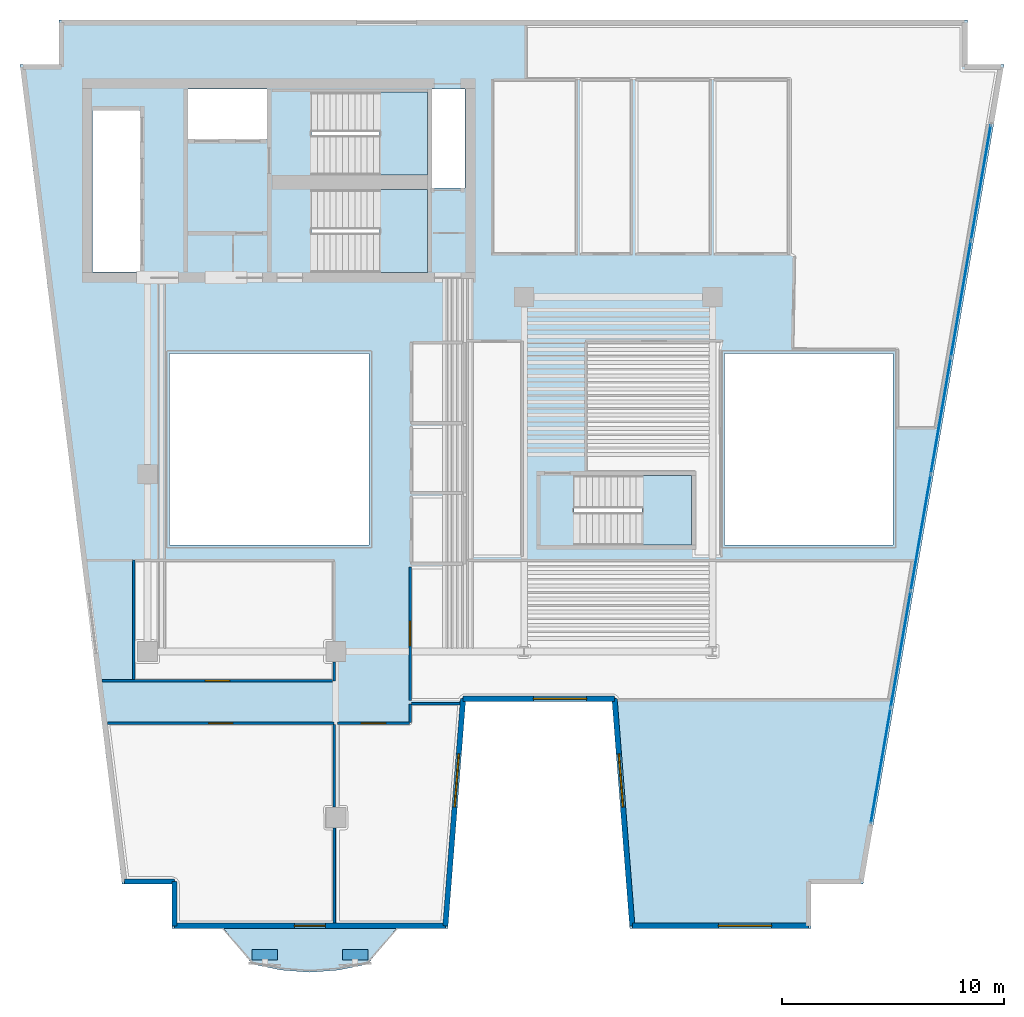
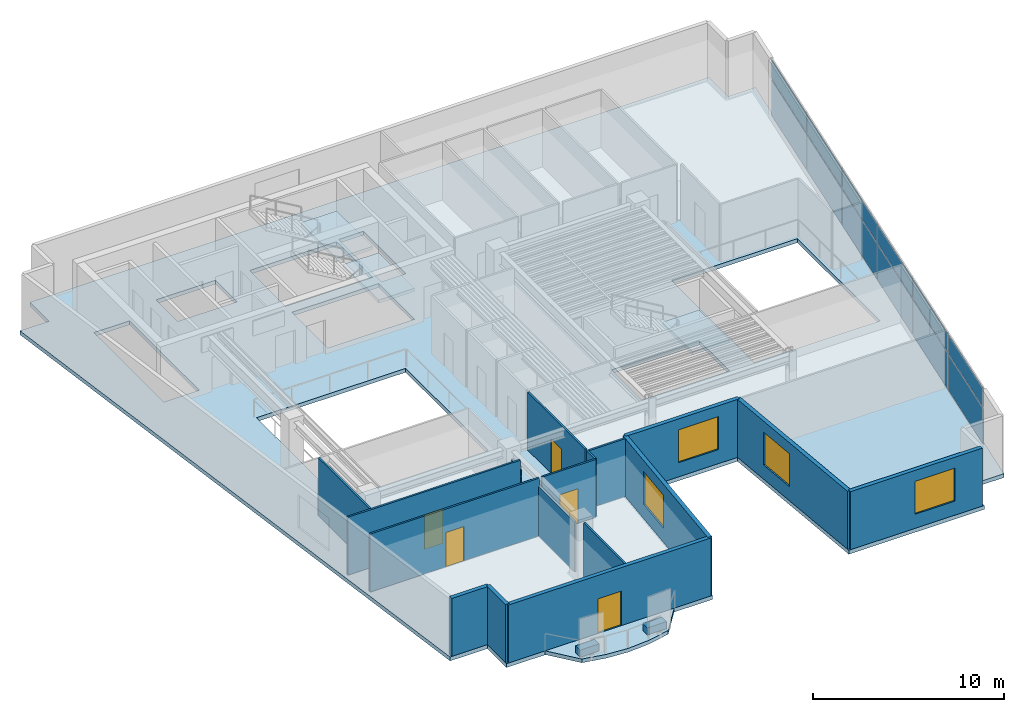
# One storey, part 3 of 9: 17 walls, 14 plates, 5 doors, 5 slabs, 4 windows, 9 openings, 4 elements without a shape of their own.
"""IFC4 building model written with IfcOpenShell, lengths in metres."""

from ifc_helpers import new_model, si_unit, direction, frame, frame_2d, origin, origin_2d, place, context, subcontext, project, spatial, polyline, rectangle, outline, extrude, material, layer, layer_set, type_object, element, fill, aggregate, save


model = new_model("IFC4")

# Units and contexts
model_context = context("Model", 3, precision=1e-05, world=origin(), true_north=direction((0.0, 1.0)))
body_context = subcontext(model_context, "Body", "Model", "MODEL_VIEW")
ifc_project = project(units=[si_unit("LENGTHUNIT", "METRE"), si_unit("AREAUNIT", "SQUARE_METRE"), si_unit("VOLUMEUNIT", "CUBIC_METRE"), si_unit("PLANEANGLEUNIT", "RADIAN"), si_unit("MASSUNIT", "GRAM", prefix="KILO")], contexts=[model_context])

# Site, building, storey
site_placement = place(None, origin())
site = spatial("IfcSite", under=ifc_project, at=site_placement, CompositionType="ELEMENT")
building_placement = place(site_placement, origin())
building = spatial("IfcBuilding", under=site, at=building_placement, Name="Caeloran Harvest Quay", CompositionType="ELEMENT")
storey_placement = place(building_placement, frame((0.0, 0.0, 231.14990234375)))
storey = spatial("IfcBuildingStorey", under=building, at=storey_placement, Name="L55", CompositionType="ELEMENT", Elevation=231.14990234375)

# Slab
ifc_material_1 = material(Name="Concrete C50/60", Category="concrete")
ifc_layer_1 = layer(ifc_material_1, 0.239990234375, Name="Concrete C50/60")
ifc_layer_set_1 = layer_set([ifc_layer_1], Name="Concrete C50/60")
slab_type_1 = type_object("IfcSlabType", Name="BALCONY-BL-240", PredefinedType="FLOOR", material=ifc_layer_set_1)
slab_1_placement = place(storey_placement, frame((0.0, 0.0, -0.239990234375)))
element("IfcSlab", 1, at=slab_1_placement, inside=storey, type_object=slab_type_1, Name="L55 Scalloped Cantilevered Planted Balcony Slab", PredefinedType="FLOOR", context=body_context, shape_type="SweptSolid", body=[
    extrude(outline(polyline([(18.442138671875, 0.897216796875), (17.13818359375, 0.624267578125), (15.83447265625, 0.5244140625), (14.53076171875, 0.624267578125), (13.226806640625, 0.897216796875), (11.939208984375, 2.5), (19.72998046875, 2.5), (18.442138671875, 0.897216796875)])), origin(), (0.0, 0.0, 1.0), 0.239990234375),
])

# Curtain wall, plates
ifc_material_2 = material(Name="Aluminium 6063-T6 and Low-E Glazing", Category="aluminium")
ifc_layer_2 = layer(ifc_material_2, 0.2099609375, Name="Aluminium 6063-T6 and Low-E Glazing")
ifc_layer_set_2 = layer_set([ifc_layer_2], Name="Aluminium 6063-T6 and Low-E Glazing")
curtain_wall_type = type_object("IfcCurtainWallType", Name="CW-SYS-CW-4", PredefinedType="USERDEFINED", material=ifc_layer_set_2)
curtain_wall_placement = place(storey_placement, origin())
curtain_wall = element("IfcCurtainWall", 2, at=curtain_wall_placement, inside=storey, type_object=curtain_wall_type, Name="L55 Unitised Curtain Wall CW-4 Run 9", ObjectType="CURTAIN_WALL", PredefinedType="USERDEFINED")
ifc_material_3 = material(Name="Low-E Double Glazed Vision Glass Unit", Category="glass")
ifc_layer_3 = layer(ifc_material_3, 0.035888671875, Name="Low-E Double Glazed Vision Glass Unit")
ifc_layer_set_3 = layer_set([ifc_layer_3], Name="Low-E Double Glazed Vision Glass Unit")
plate_type_1 = type_object("IfcPlateType", Name="CW-VISION-PANEL", PredefinedType="CURTAIN_PANEL", material=ifc_layer_set_3)
plate_1_placement = place(storey_placement, frame((46.116943359375, 36.16162109375, 0.080078125), z_axis=(0.0, 0.0, 1.0), x_axis=(-0.169391215605, -0.985548890759, 0.0)))
plate_1 = element("IfcPlate", 3, at=plate_1_placement, type_object=plate_type_1, Name="CW-4 panel 1.1", PredefinedType="CURTAIN_PANEL", context=body_context, shape_type="SweptSolid", body=[
    extrude(rectangle(XDim=5.229736328125, YDim=0.035888671875, at=origin_2d()), origin(), (0.0, 0.0, 1.0), 2.280029296875),
])
plate_2_placement = place(storey_placement, frame((46.116943359375, 36.16162109375, 2.43994140625), z_axis=(0.0, 0.0, 1.0), x_axis=(-0.169391215605, -0.985548890759, 0.0)))
plate_2 = element("IfcPlate", 4, at=plate_2_placement, type_object=plate_type_1, Name="CW-4 panel 1.2", PredefinedType="CURTAIN_PANEL", context=body_context, shape_type="SweptSolid", body=[
    extrude(rectangle(XDim=5.229736328125, YDim=0.035888671875, at=origin_2d()), origin(), (0.0, 0.0, 1.0), 1.179931640625),
])
plate_3_placement = place(storey_placement, frame((45.214111328125, 30.90869140625, 0.080078125), z_axis=(0.0, 0.0, 1.0), x_axis=(-0.169391215605, -0.985548890759, 0.0)))
plate_3 = element("IfcPlate", 5, at=plate_3_placement, type_object=plate_type_1, Name="CW-4 panel 2.1", PredefinedType="CURTAIN_PANEL", context=body_context, shape_type="SweptSolid", body=[
    extrude(rectangle(XDim=5.269775390625, YDim=0.035888671875, at=origin_2d()), origin(), (0.0, 0.0, 1.0), 2.280029296875),
])
plate_4_placement = place(storey_placement, frame((45.214111328125, 30.90869140625, 2.43994140625), z_axis=(0.0, 0.0, 1.0), x_axis=(-0.169391215605, -0.985548890759, 0.0)))
plate_4 = element("IfcPlate", 6, at=plate_4_placement, type_object=plate_type_1, Name="CW-4 panel 2.2", PredefinedType="CURTAIN_PANEL", context=body_context, shape_type="SweptSolid", body=[
    extrude(rectangle(XDim=5.269775390625, YDim=0.035888671875, at=origin_2d()), origin(), (0.0, 0.0, 1.0), 1.179931640625),
])
plate_5_placement = place(storey_placement, frame((44.307861328125, 25.63623046875, 0.080078125), z_axis=(0.0, 0.0, 1.0), x_axis=(-0.169391215605, -0.985548890759, 0.0)))
plate_5 = element("IfcPlate", 7, at=plate_5_placement, type_object=plate_type_1, Name="CW-4 panel 3.1", PredefinedType="CURTAIN_PANEL", context=body_context, shape_type="SweptSolid", body=[
    extrude(rectangle(XDim=5.269775390625, YDim=0.035888671875, at=origin_2d()), origin(), (0.0, 0.0, 1.0), 2.280029296875),
])
plate_6_placement = place(storey_placement, frame((44.307861328125, 25.63623046875, 2.43994140625), z_axis=(0.0, 0.0, 1.0), x_axis=(-0.169391215605, -0.985548890759, 0.0)))
plate_6 = element("IfcPlate", 8, at=plate_6_placement, type_object=plate_type_1, Name="CW-4 panel 3.2", PredefinedType="CURTAIN_PANEL", context=body_context, shape_type="SweptSolid", body=[
    extrude(rectangle(XDim=5.269775390625, YDim=0.035888671875, at=origin_2d()), origin(), (0.0, 0.0, 1.0), 1.179931640625),
])
plate_7_placement = place(storey_placement, frame((43.401611328125, 20.36376953125, 0.080078125), z_axis=(0.0, 0.0, 1.0), x_axis=(-0.169391215605, -0.985548890759, 0.0)))
plate_7 = element("IfcPlate", 9, at=plate_7_placement, type_object=plate_type_1, Name="CW-4 panel 4.1", PredefinedType="CURTAIN_PANEL", context=body_context, shape_type="SweptSolid", body=[
    extrude(rectangle(XDim=5.269775390625, YDim=0.035888671875, at=origin_2d()), origin(), (0.0, 0.0, 1.0), 2.280029296875),
])
plate_8_placement = place(storey_placement, frame((43.401611328125, 20.36376953125, 2.43994140625), z_axis=(0.0, 0.0, 1.0), x_axis=(-0.169391215605, -0.985548890759, 0.0)))
plate_8 = element("IfcPlate", 10, at=plate_8_placement, type_object=plate_type_1, Name="CW-4 panel 4.2", PredefinedType="CURTAIN_PANEL", context=body_context, shape_type="SweptSolid", body=[
    extrude(rectangle(XDim=5.269775390625, YDim=0.035888671875, at=origin_2d()), origin(), (0.0, 0.0, 1.0), 1.179931640625),
])
plate_9_placement = place(storey_placement, frame((42.495361328125, 15.09130859375, 0.080078125), z_axis=(0.0, 0.0, 1.0), x_axis=(-0.169391215605, -0.985548890759, 0.0)))
plate_9 = element("IfcPlate", 11, at=plate_9_placement, type_object=plate_type_1, Name="CW-4 panel 5.1", PredefinedType="CURTAIN_PANEL", context=body_context, shape_type="SweptSolid", body=[
    extrude(rectangle(XDim=5.269775390625, YDim=0.035888671875, at=origin_2d()), origin(), (0.0, 0.0, 1.0), 2.280029296875),
])
plate_10_placement = place(storey_placement, frame((42.495361328125, 15.09130859375, 2.43994140625), z_axis=(0.0, 0.0, 1.0), x_axis=(-0.169391215605, -0.985548890759, 0.0)))
plate_10 = element("IfcPlate", 12, at=plate_10_placement, type_object=plate_type_1, Name="CW-4 panel 5.2", PredefinedType="CURTAIN_PANEL", context=body_context, shape_type="SweptSolid", body=[
    extrude(rectangle(XDim=5.269775390625, YDim=0.035888671875, at=origin_2d()), origin(), (0.0, 0.0, 1.0), 1.179931640625),
])
plate_11_placement = place(storey_placement, frame((41.592529296875, 9.83837890625, 0.080078125), z_axis=(0.0, 0.0, 1.0), x_axis=(-0.169391215605, -0.985548890759, 0.0)))
plate_11 = element("IfcPlate", 13, at=plate_11_placement, type_object=plate_type_1, Name="CW-4 panel 6.1", PredefinedType="CURTAIN_PANEL", context=body_context, shape_type="SweptSolid", body=[
    extrude(rectangle(XDim=5.229736328125, YDim=0.035888671875, at=origin_2d()), origin(), (0.0, 0.0, 1.0), 2.280029296875),
])
plate_12_placement = place(storey_placement, frame((41.592529296875, 9.83837890625, 2.43994140625), z_axis=(0.0, 0.0, 1.0), x_axis=(-0.169391215605, -0.985548890759, 0.0)))
plate_12 = element("IfcPlate", 14, at=plate_12_placement, type_object=plate_type_1, Name="CW-4 panel 6.2", PredefinedType="CURTAIN_PANEL", context=body_context, shape_type="SweptSolid", body=[
    extrude(rectangle(XDim=5.229736328125, YDim=0.035888671875, at=origin_2d()), origin(), (0.0, 0.0, 1.0), 1.179931640625),
])
aggregate(curtain_wall, [plate_1, plate_2, plate_3, plate_4, plate_5, plate_6, plate_7, plate_8, plate_9, plate_10, plate_11, plate_12])

# Plates
ifc_material_4 = material(Name="Precast concrete C50/60", Category="concrete")
ifc_layer_4 = layer(ifc_material_4, 0.449951171875, Name="Precast concrete C50/60")
ifc_layer_set_4 = layer_set([ifc_layer_4], Name="Precast concrete C50/60")
plate_type_2 = type_object("IfcPlateType", Name="PLANTER-TROUGH-450", PredefinedType="USERDEFINED", material=ifc_layer_set_4)
for number, where, z_axis, x_axis, name in (
    (15, (17.868408203125, 1.32080078125, 0.0), (0.0, 0.0, 1.0), (1.0, 0.0, 0.0), "L55 Balcony Vertical-Greenery Precast PLANTER Trough 1"),
    (16, (13.800537109375, 1.32080078125, 0.0), (0.0, 0.0, 1.0), (1.0, 0.0, 0.0), "L55 Balcony Vertical-Greenery Precast PLANTER Trough 2"),
):
    element("IfcPlate", number, at=place(storey_placement, frame(where, z_axis=z_axis, x_axis=x_axis)), inside=storey, type_object=plate_type_2, Name=name, ObjectType="PLANTER", PredefinedType="USERDEFINED", context=body_context, shape_type="SweptSolid", body=[
        extrude(rectangle(XDim=1.14990234375, YDim=0.47998046875, at=origin_2d()), origin(), (0.0, 0.0, 1.0), 0.449951171875),
    ])

# Slab
ifc_layer_5 = layer(ifc_material_1, 0.25, Name="Concrete C50/60")
ifc_layer_set_5 = layer_set([ifc_layer_5], Name="Concrete C50/60")
slab_type_2 = type_object("IfcSlabType", Name="SLAB-FS-250", PredefinedType="FLOOR", material=ifc_layer_set_5)
slab_2_placement = place(storey_placement, frame((0.0, 0.0, -0.25)))
element("IfcSlab", 17, at=slab_2_placement, inside=storey, type_object=slab_type_2, Name="L55 Structural Floor Slab", PredefinedType="FLOOR", context=body_context, shape_type="SweptSolid", body=[
    extrude(outline(polyline([(9.60302734375, 2.5), (22.056884765625, 2.5), (22.85693359375, 12.75), (29.469482421875, 12.75), (30.26953125, 2.5), (38.452880859375, 2.5), (38.452880859375, 4.5), (40.796875, 4.5), (47.15625, 41.5), (45.5, 41.5), (45.5, 43.5), (4.5, 43.5), (4.5, 41.5), (2.748779296875, 41.5), (7.35400390625, 4.5), (9.60302734375, 4.5), (9.60302734375, 2.5)]), holes=[polyline([(27.75, 19.800048828125), (27.75, 22.949951171875), (33.050048828125, 22.949951171875), (33.050048828125, 19.800048828125), (27.75, 19.800048828125)]), polyline([(18.5, 19.800048828125), (9.5, 19.800048828125), (9.5, 28.449951171875), (18.5, 28.449951171875), (18.5, 19.800048828125)]), polyline([(42.14990234375, 19.800048828125), (34.550048828125, 19.800048828125), (34.550048828125, 28.449951171875), (42.14990234375, 28.449951171875), (42.14990234375, 19.800048828125)]), polyline([(15.89990234375, 32.10009765625), (15.89990234375, 35.85009765625), (21.14990234375, 35.85009765625), (21.14990234375, 32.10009765625), (15.89990234375, 32.10009765625)]), polyline([(8.159912109375, 32.1201171875), (6.02001953125, 32.1201171875), (6.02001953125, 39.419921875), (8.159912109375, 39.419921875), (8.159912109375, 32.1201171875)]), polyline([(22.830078125, 35.919921875), (21.35009765625, 35.919921875), (21.35009765625, 40.3798828125), (22.830078125, 40.3798828125), (22.830078125, 35.919921875)]), polyline([(15.89990234375, 36.5), (15.89990234375, 40.25), (21.14990234375, 40.25), (21.14990234375, 36.5), (15.89990234375, 36.5)]), polyline([(13.89990234375, 38.1201171875), (10.320068359375, 38.1201171875), (10.320068359375, 40.3798828125), (13.89990234375, 40.3798828125), (13.89990234375, 38.1201171875)])]), origin(), (0.0, 0.0, 1.0), 0.25),
])

# Stair, slab
stair_type_1 = type_object("IfcStairType", Name="STAIR-STC-180", PredefinedType="HALF_TURN_STAIR", material=ifc_material_1)
stair_1_placement = place(storey_placement, origin())
stair_1 = element("IfcStair", 18, at=stair_1_placement, inside=storey, type_object=stair_type_1, Name="L55 Core Pressurized Exit Stair ST-C1", PredefinedType="HALF_TURN_STAIR")
ifc_layer_6 = layer(ifc_material_1, 0.219970703125, Name="Concrete C50/60")
ifc_layer_set_6 = layer_set([ifc_layer_6], Name="Concrete C50/60")
slab_type_3 = type_object("IfcSlabType", Name="STAIR-LANDING-220", PredefinedType="LANDING", material=ifc_layer_set_6)
slab_3_placement = place(storey_placement, frame((0.0, 0.0, 1.775146484375)))
slab_3 = element("IfcSlab", 19, at=slab_3_placement, type_object=slab_type_3, Name="ST-C1 landing 1", PredefinedType="LANDING", context=body_context, shape_type="SweptSolid", body=[
    extrude(outline(polyline([(18.97998046875, 36.5), (21.14990234375, 36.5), (21.14990234375, 40.25), (18.97998046875, 40.25), (18.97998046875, 36.5)])), origin(), (0.0, 0.0, 1.0), 0.199951171875),
])
aggregate(stair_1, [slab_3])

stair_2_placement = place(storey_placement, origin())
stair_2 = element("IfcStair", 20, at=stair_2_placement, inside=storey, type_object=stair_type_1, Name="L55 Core Pressurized Exit Stair ST-C2", PredefinedType="HALF_TURN_STAIR")
slab_4_placement = place(storey_placement, frame((0.0, 0.0, 1.775146484375)))
slab_4 = element("IfcSlab", 21, at=slab_4_placement, type_object=slab_type_3, Name="ST-C2 landing 1", PredefinedType="LANDING", context=body_context, shape_type="SweptSolid", body=[
    extrude(outline(polyline([(18.97998046875, 32.10009765625), (21.14990234375, 32.10009765625), (21.14990234375, 35.85009765625), (18.97998046875, 35.85009765625), (18.97998046875, 32.10009765625)])), origin(), (0.0, 0.0, 1.0), 0.199951171875),
])
aggregate(stair_2, [slab_4])

stair_type_2 = type_object("IfcStairType", Name="STAIR-STW-150", PredefinedType="HALF_TURN_STAIR", material=ifc_material_1)
stair_3_placement = place(storey_placement, origin())
stair_3 = element("IfcStair", 22, at=stair_3_placement, inside=storey, type_object=stair_type_2, Name="L55 East Wing Protected Exit Stair ST-W1", PredefinedType="HALF_TURN_STAIR")
slab_5_placement = place(storey_placement, frame((0.0, 0.0, 1.775146484375)))
slab_5 = element("IfcSlab", 23, at=slab_5_placement, type_object=slab_type_3, Name="ST-W1 landing 1", PredefinedType="LANDING", context=body_context, shape_type="SweptSolid", body=[
    extrude(outline(polyline([(30.830078125, 19.800048828125), (33.050048828125, 19.800048828125), (33.050048828125, 22.949951171875), (30.830078125, 22.949951171875), (30.830078125, 19.800048828125)])), origin(), (0.0, 0.0, 1.0), 0.199951171875),
])
aggregate(stair_3, [slab_5])

# Walls
ifc_layer_7 = layer(ifc_material_4, 0.239990234375, Name="Precast concrete C50/60")
ifc_layer_set_7 = layer_set([ifc_layer_7], Name="Precast concrete C50/60")
wall_type_1 = type_object("IfcWallType", Name="ENV-WALL-EW-240", PredefinedType="STANDARD", material=ifc_layer_set_7)
wall_1_placement = place(storey_placement, frame((9.722900390625, 2.6201171875, 0.0), z_axis=(0.0, 0.0, 1.0), x_axis=(0.0, 1.0, 0.0)))
element("IfcWall", 24, at=wall_1_placement, inside=storey, type_object=wall_type_1, Name="L55 Exterior Precast Concrete Facade Wall 1", PredefinedType="STANDARD", context=body_context, shape_type="SweptSolid", body=[
    extrude(rectangle(XDim=2.0, YDim=0.239990234375, at=frame_2d((1.0, 0.0))), origin(), (0.0, 0.0, 1.0), 3.7001953125),
])
wall_2_placement = place(storey_placement, frame((9.722900390625, 4.6201171875, 0.0), z_axis=(0.0, 0.0, 1.0), x_axis=(-1.0, 0.0, 0.0)))
element("IfcWall", 25, at=wall_2_placement, inside=storey, type_object=wall_type_1, Name="L55 Exterior Precast Concrete Facade Wall 2", PredefinedType="STANDARD", context=body_context, shape_type="SweptSolid", body=[
    extrude(rectangle(XDim=2.2626953125, YDim=0.239990234375, at=frame_2d((1.13134765625, 0.0))), origin(), (0.0, 0.0, 1.0), 3.7001953125),
])

# Wall, opening, window
wall_3_placement = place(storey_placement, frame((38.3330078125, 2.6201171875, 0.0), z_axis=(0.0, 0.0, 1.0), x_axis=(-1.0, 0.0, 0.0)))
wall_3 = element("IfcWall", 26, at=wall_3_placement, inside=storey, type_object=wall_type_1, Name="L55 Exterior Precast Concrete Facade Wall 12", PredefinedType="STANDARD", context=body_context, shape_type="SweptSolid", body=[
    extrude(rectangle(XDim=7.952392578125, YDim=0.239990234375, at=frame_2d((3.97607421875, 0.0))), origin(), (0.0, 0.0, 1.0), 3.7001953125),
])
opening_1_placement = place(wall_3_placement, frame((1.6630859375, 0.0, 0.89990234375)))
opening_1 = element("IfcOpeningElement", 27, at=opening_1_placement, cuts=wall_3, Name="Opening W-02", PredefinedType="OPENING", context=body_context, shape_type="SweptSolid", body=[
    extrude(rectangle(XDim=2.39990234375, YDim=2.10009765625, at=frame_2d((1.199951171875, 1.050048828125))), frame((0.0, 0.1298828125, 0.0), z_axis=(0.0, -1.0, 0.0), x_axis=(1.0, 0.0, 0.0)), (0.0, 0.0, 1.0), 0.260009765625),
])
ifc_material_5 = material(Name="Aluminium-Framed Low-E Laminated Glass", Category="aluminium")
window_type = type_object("IfcWindowType", Name="WIN-W-02", PartitioningType="DOUBLE_PANEL_VERTICAL", PredefinedType="WINDOW", material=ifc_material_5)
window_1_placement = place(opening_1_placement, origin())
window_1 = element("IfcWindow", 28, at=window_1_placement, inside=storey, type_object=window_type, Name="L55 Facade Punched Window W-02", OverallHeight=2.10009765625, OverallWidth=2.39990234375, PartitioningType="DOUBLE_PANEL_VERTICAL", PredefinedType="WINDOW", context=body_context, shape_type="SweptSolid", body=[
    extrude(rectangle(XDim=2.39990234375, YDim=2.10009765625, at=frame_2d((1.199951171875, 1.050048828125))), frame((0.0, 0.030029296875, 0.0), z_axis=(0.0, -1.0, 0.0), x_axis=(1.0, 0.0, 0.0)), (0.0, 0.0, 1.0), 0.06005859375),
])
fill(opening_1, window_1)

wall_4_placement = place(storey_placement, frame((30.380615234375, 2.6201171875, 0.0), z_axis=(0.0, 0.0, 1.0), x_axis=(-0.077816860153, 0.996967670627, 0.0)))
wall_4 = element("IfcWall", 29, at=wall_4_placement, inside=storey, type_object=wall_type_1, Name="L55 Exterior Precast Concrete Facade Wall 13", PredefinedType="STANDARD", context=body_context, shape_type="SweptSolid", body=[
    extrude(rectangle(XDim=10.28125, YDim=0.239990234375, at=frame_2d((5.140625, 0.0))), origin(), (0.0, 0.0, 1.0), 3.7001953125),
])
opening_2_placement = place(wall_4_placement, frame((5.3798828125, 0.0, 0.89990234375)))
opening_2 = element("IfcOpeningElement", 30, at=opening_2_placement, cuts=wall_4, Name="Opening W-02", PredefinedType="OPENING", context=body_context, shape_type="SweptSolid", body=[
    extrude(rectangle(XDim=2.39990234375, YDim=2.10009765625, at=frame_2d((1.199951171875, 1.050048828125))), frame((0.0, 0.1298828125, 0.0), z_axis=(0.0, -1.0, 0.0), x_axis=(1.0, 0.0, 0.0)), (0.0, 0.0, 1.0), 0.260009765625),
])
window_2_placement = place(opening_2_placement, origin())
window_2 = element("IfcWindow", 31, at=window_2_placement, inside=storey, type_object=window_type, Name="L55 Facade Punched Window W-02", OverallHeight=2.10009765625, OverallWidth=2.39990234375, PartitioningType="DOUBLE_PANEL_VERTICAL", PredefinedType="WINDOW", context=body_context, shape_type="SweptSolid", body=[
    extrude(rectangle(XDim=2.39990234375, YDim=2.10009765625, at=frame_2d((1.199951171875, 1.050048828125))), frame((0.0, 0.030029296875, 0.0), z_axis=(0.0, -1.0, 0.0), x_axis=(1.0, 0.0, 0.0)), (0.0, 0.0, 1.0), 0.06005859375),
])
fill(opening_2, window_2)

wall_5_placement = place(storey_placement, frame((29.58056640625, 12.8701171875, 0.0), z_axis=(0.0, 0.0, 1.0), x_axis=(-1.0, 0.0, 0.0)))
wall_5 = element("IfcWall", 32, at=wall_5_placement, inside=storey, type_object=wall_type_1, Name="L55 Exterior Precast Concrete Facade Wall 14", PredefinedType="STANDARD", context=body_context, shape_type="SweptSolid", body=[
    extrude(rectangle(XDim=6.83447265625, YDim=0.239990234375, at=frame_2d((3.417236328125, 0.0))), origin(), (0.0, 0.0, 1.0), 3.7001953125),
])
opening_3_placement = place(wall_5_placement, frame((1.260009765625, 0.0, 0.89990234375)))
opening_3 = element("IfcOpeningElement", 33, at=opening_3_placement, cuts=wall_5, Name="Opening W-02", PredefinedType="OPENING", context=body_context, shape_type="SweptSolid", body=[
    extrude(rectangle(XDim=2.39990234375, YDim=2.10009765625, at=frame_2d((1.199951171875, 1.050048828125))), frame((0.0, 0.1298828125, 0.0), z_axis=(0.0, -1.0, 0.0), x_axis=(1.0, 0.0, 0.0)), (0.0, 0.0, 1.0), 0.260009765625),
])
window_3_placement = place(opening_3_placement, origin())
window_3 = element("IfcWindow", 34, at=window_3_placement, inside=storey, type_object=window_type, Name="L55 Facade Punched Window W-02", OverallHeight=2.10009765625, OverallWidth=2.39990234375, PartitioningType="DOUBLE_PANEL_VERTICAL", PredefinedType="WINDOW", context=body_context, shape_type="SweptSolid", body=[
    extrude(rectangle(XDim=2.39990234375, YDim=2.10009765625, at=frame_2d((1.199951171875, 1.050048828125))), frame((0.0, 0.030029296875, 0.0), z_axis=(0.0, -1.0, 0.0), x_axis=(1.0, 0.0, 0.0)), (0.0, 0.0, 1.0), 0.06005859375),
])
fill(opening_3, window_3)

wall_6_placement = place(storey_placement, frame((22.74609375, 12.8701171875, 0.0), z_axis=(0.0, 0.0, 1.0), x_axis=(-0.077816860153, -0.996967670627, 0.0)))
wall_6 = element("IfcWall", 35, at=wall_6_placement, inside=storey, type_object=wall_type_1, Name="L55 Exterior Precast Concrete Facade Wall 15", PredefinedType="STANDARD", context=body_context, shape_type="SweptSolid", body=[
    extrude(rectangle(XDim=10.28125, YDim=0.239990234375, at=frame_2d((5.140625, 0.0))), origin(), (0.0, 0.0, 1.0), 3.7001953125),
])
opening_4_placement = place(wall_6_placement, frame((2.5009765625, 0.0, 0.89990234375)))
opening_4 = element("IfcOpeningElement", 36, at=opening_4_placement, cuts=wall_6, Name="Opening W-02", PredefinedType="OPENING", context=body_context, shape_type="SweptSolid", body=[
    extrude(rectangle(XDim=2.39990234375, YDim=2.10009765625, at=frame_2d((1.199951171875, 1.050048828125))), frame((0.0, 0.1298828125, 0.0), z_axis=(0.0, -1.0, 0.0), x_axis=(1.0, 0.0, 0.0)), (0.0, 0.0, 1.0), 0.260009765625),
])
window_4_placement = place(opening_4_placement, origin())
window_4 = element("IfcWindow", 37, at=window_4_placement, inside=storey, type_object=window_type, Name="L55 Facade Punched Window W-02", OverallHeight=2.10009765625, OverallWidth=2.39990234375, PartitioningType="DOUBLE_PANEL_VERTICAL", PredefinedType="WINDOW", context=body_context, shape_type="SweptSolid", body=[
    extrude(rectangle(XDim=2.39990234375, YDim=2.10009765625, at=frame_2d((1.199951171875, 1.050048828125))), frame((0.0, 0.030029296875, 0.0), z_axis=(0.0, -1.0, 0.0), x_axis=(1.0, 0.0, 0.0)), (0.0, 0.0, 1.0), 0.06005859375),
])
fill(opening_4, window_4)

# Wall, opening, door
wall_7_placement = place(storey_placement, frame((21.946044921875, 2.6201171875, 0.0), z_axis=(0.0, 0.0, 1.0), x_axis=(-1.0, 0.0, 0.0)))
wall_7 = element("IfcWall", 38, at=wall_7_placement, inside=storey, type_object=wall_type_1, Name="L55 Exterior Precast Concrete Facade Wall 16", PredefinedType="STANDARD", context=body_context, shape_type="SweptSolid", body=[
    extrude(rectangle(XDim=12.22314453125, YDim=0.239990234375, at=frame_2d((6.111572265625, 0.0))), origin(), (0.0, 0.0, 1.0), 3.7001953125),
])
opening_5_placement = place(wall_7_placement, frame((5.410888671875, 0.0, 0.0)))
opening_5 = element("IfcOpeningElement", 39, at=opening_5_placement, cuts=wall_7, Name="Opening BD-02", PredefinedType="OPENING", context=body_context, shape_type="SweptSolid", body=[
    extrude(rectangle(XDim=1.39990234375, YDim=2.199951171875, at=frame_2d((0.699951171875, 1.10009765625))), frame((0.0, 0.1298828125, 0.0), z_axis=(0.0, -1.0, 0.0), x_axis=(1.0, 0.0, 0.0)), (0.0, 0.0, 1.0), 0.260009765625),
])
ifc_material_6 = material(Name="Thermally Broken Powder-Coated Aluminium and Safety Glass", Category="aluminium")
door_type_1 = type_object("IfcDoorType", Name="EXTDOOR-BD-02", OperationType="NOTDEFINED", PredefinedType="DOOR", material=ifc_material_6)
door_1_placement = place(opening_5_placement, origin())
door_1 = element("IfcDoor", 40, at=door_1_placement, inside=storey, type_object=door_type_1, Name="L55 Planted Balcony Glazed Access Door", OperationType="SINGLE_SWING_RIGHT", OverallHeight=2.199951171875, OverallWidth=1.39990234375, PredefinedType="DOOR", context=body_context, shape_type="SweptSolid", body=[
    extrude(rectangle(XDim=1.39990234375, YDim=2.199951171875, at=frame_2d((0.699951171875, 1.10009765625))), frame((0.0, 0.02490234375, 0.0), z_axis=(0.0, -1.0, 0.0), x_axis=(1.0, 0.0, 0.0)), (0.0, 0.0, 1.0), 0.050048828125),
])
fill(opening_5, door_1)

ifc_material_7 = material(Name="Single-Stud Acoustic Gypsum Office Partition", Category="gypsum")
ifc_layer_8 = layer(ifc_material_7, 0.112060546875, Name="Single-Stud Acoustic Gypsum Office Partition")
ifc_layer_set_8 = layer_set([ifc_layer_8], Name="Single-Stud Acoustic Gypsum Office Partition")
wall_type_2 = type_object("IfcWallType", Name="INT-WALL-PW-112", PredefinedType="PARTITIONING", material=ifc_layer_set_8)
wall_8_placement = place(storey_placement, frame((6.696044921875, 11.77001953125, 0.0), z_axis=(0.0, 0.0, 1.0), x_axis=(1.0, 0.0, 0.0)))
wall_8 = element("IfcWall", 41, at=wall_8_placement, inside=storey, type_object=wall_type_2, Name="Arbitration Wellness Fitness Gym Partition Wall", PredefinedType="PARTITIONING", context=body_context, shape_type="SweptSolid", body=[
    extrude(rectangle(XDim=10.223876953125, YDim=0.112060546875, at=frame_2d((5.11181640625, 0.0))), origin(), (0.0, 0.0, 1.0), 3.7001953125),
])
opening_6_placement = place(wall_8_placement, frame((4.56201171875, 0.0, 0.0)))
opening_6 = element("IfcOpeningElement", 42, at=opening_6_placement, cuts=wall_8, Name="Opening ID-04", PredefinedType="OPENING", context=body_context, shape_type="SweptSolid", body=[
    extrude(rectangle(XDim=1.10009765625, YDim=2.199951171875, at=frame_2d((0.550048828125, 1.10009765625))), frame((0.0, 0.06591796875, 0.0), z_axis=(0.0, -1.0, 0.0), x_axis=(1.0, 0.0, 0.0)), (0.0, 0.0, 1.0), 0.132080078125),
])
ifc_material_8 = material(Name="Acoustic Walnut Veneer Executive Door", Category="wood")
door_type_2 = type_object("IfcDoorType", Name="INTDOOR-ID-04", OperationType="NOTDEFINED", PredefinedType="DOOR", material=ifc_material_8)
door_2_placement = place(opening_6_placement, origin())
door_2 = element("IfcDoor", 43, at=door_2_placement, inside=storey, type_object=door_type_2, Name="Arbitration Wellness Fitness Gym Access Door", OperationType="SINGLE_SWING_RIGHT", OverallHeight=2.199951171875, OverallWidth=1.10009765625, PredefinedType="DOOR", context=body_context, shape_type="SweptSolid", body=[
    extrude(rectangle(XDim=1.10009765625, YDim=2.199951171875, at=frame_2d((0.550048828125, 1.10009765625))), frame((0.0, 0.02490234375, 0.0), z_axis=(0.0, -1.0, 0.0), x_axis=(1.0, 0.0, 0.0)), (0.0, 0.0, 1.0), 0.050048828125),
])
fill(opening_6, door_2)

# Walls
wall_9_placement = place(storey_placement, frame((16.919921875, 11.708984375, 0.0), z_axis=(0.0, 0.0, 1.0), x_axis=(0.0, -1.0, 0.0)))
element("IfcWall", 44, at=wall_9_placement, inside=storey, type_object=wall_type_2, Name="Arbitration Wellness Fitness Gym Partition Wall", PredefinedType="PARTITIONING", context=body_context, shape_type="SweptSolid", body=[
    extrude(rectangle(XDim=3.73388671875, YDim=0.112060546875, at=frame_2d((1.866943359375, 0.0))), origin(), (0.0, 0.0, 1.0), 3.18505859375),
])
wall_10_placement = place(storey_placement, frame((16.919921875, 7.02490234375, 0.0), z_axis=(0.0, 0.0, 1.0), x_axis=(0.0, -1.0, 0.0)))
element("IfcWall", 45, at=wall_10_placement, inside=storey, type_object=wall_type_2, Name="Arbitration Wellness Fitness Gym Partition Wall", PredefinedType="PARTITIONING", context=body_context, shape_type="SweptSolid", body=[
    extrude(rectangle(XDim=4.27978515625, YDim=0.112060546875, at=frame_2d((2.139892578125, 0.0))), origin(), (0.0, 0.0, 1.0), 3.7001953125),
])
wall_11_placement = place(storey_placement, frame((20.35009765625, 11.800048828125, 0.0), z_axis=(0.0, 0.0, 1.0), x_axis=(0.0, 1.0, 0.0)))
element("IfcWall", 46, at=wall_11_placement, inside=storey, type_object=wall_type_2, Name="Delegates Recovery Wellness Gym Partition Wall", PredefinedType="PARTITIONING", context=body_context, shape_type="SweptSolid", body=[
    extrude(rectangle(XDim=0.83984375, YDim=0.112060546875, at=frame_2d((0.419921875, 0.0))), origin(), (0.0, 0.0, 1.0), 3.7001953125),
])
wall_12_placement = place(storey_placement, frame((20.410888671875, 12.639892578125, 0.0), z_axis=(0.0, 0.0, 1.0), x_axis=(1.0, 0.0, 0.0)))
element("IfcWall", 47, at=wall_12_placement, inside=storey, type_object=wall_type_2, Name="Delegates Recovery Wellness Gym Partition Wall", PredefinedType="PARTITIONING", context=body_context, shape_type="SweptSolid", body=[
    extrude(rectangle(XDim=2.19189453125, YDim=0.112060546875, at=frame_2d((1.095947265625, 0.0))), origin(), (0.0, 0.0, 1.0), 3.7001953125),
])

# Wall, opening, door
wall_13_placement = place(storey_placement, frame((17.080078125, 11.77001953125, 0.0), z_axis=(0.0, 0.0, 1.0), x_axis=(1.0, 0.0, 0.0)))
wall_13 = element("IfcWall", 48, at=wall_13_placement, inside=storey, type_object=wall_type_2, Name="Delegates Recovery Wellness Gym Partition Wall", PredefinedType="PARTITIONING", context=body_context, shape_type="SweptSolid", body=[
    extrude(rectangle(XDim=3.239990234375, YDim=0.112060546875, at=frame_2d((1.6201171875, 0.0))), origin(), (0.0, 0.0, 1.0), 3.7001953125),
])
opening_7_placement = place(wall_13_placement, frame((1.070068359375, 0.0, 0.0)))
opening_7 = element("IfcOpeningElement", 49, at=opening_7_placement, cuts=wall_13, Name="Opening ID-04", PredefinedType="OPENING", context=body_context, shape_type="SweptSolid", body=[
    extrude(rectangle(XDim=1.10009765625, YDim=2.199951171875, at=frame_2d((0.550048828125, 1.10009765625))), frame((0.0, 0.06591796875, 0.0), z_axis=(0.0, -1.0, 0.0), x_axis=(1.0, 0.0, 0.0)), (0.0, 0.0, 1.0), 0.132080078125),
])
door_3_placement = place(opening_7_placement, origin())
door_3 = element("IfcDoor", 50, at=door_3_placement, inside=storey, type_object=door_type_2, Name="Delegates Recovery Wellness Gym Access Door", OperationType="SINGLE_SWING_LEFT", OverallHeight=2.199951171875, OverallWidth=1.10009765625, PredefinedType="DOOR", context=body_context, shape_type="SweptSolid", body=[
    extrude(rectangle(XDim=1.10009765625, YDim=2.199951171875, at=frame_2d((0.550048828125, 1.10009765625))), frame((0.0, 0.02490234375, 0.0), z_axis=(0.0, -1.0, 0.0), x_axis=(1.0, 0.0, 0.0)), (0.0, 0.0, 1.0), 0.050048828125),
])
fill(opening_7, door_3)

wall_14_placement = place(storey_placement, frame((20.35009765625, 12.800048828125, 0.0), z_axis=(0.0, 0.0, 1.0), x_axis=(0.0, 1.0, 0.0)))
wall_14 = element("IfcWall", 51, at=wall_14_placement, inside=storey, type_object=wall_type_2, Name="Mediation Fireside Salon Lounge Partition Wall", PredefinedType="PARTITIONING", context=body_context, shape_type="SweptSolid", body=[
    extrude(rectangle(XDim=6.010009765625, YDim=0.112060546875, at=frame_2d((3.0048828125, 0.0))), origin(), (0.0, 0.0, 1.0), 3.7001953125),
])
opening_8_placement = place(wall_14_placement, frame((2.455078125, 0.0, 0.0)))
opening_8 = element("IfcOpeningElement", 52, at=opening_8_placement, cuts=wall_14, Name="Opening ID-04", PredefinedType="OPENING", context=body_context, shape_type="SweptSolid", body=[
    extrude(rectangle(XDim=1.10009765625, YDim=2.199951171875, at=frame_2d((0.550048828125, 1.10009765625))), frame((0.0, 0.06591796875, 0.0), z_axis=(0.0, -1.0, 0.0), x_axis=(1.0, 0.0, 0.0)), (0.0, 0.0, 1.0), 0.132080078125),
])
door_4_placement = place(opening_8_placement, origin())
door_4 = element("IfcDoor", 53, at=door_4_placement, inside=storey, type_object=door_type_2, Name="Mediation Fireside Salon Lounge Access Door", OperationType="SINGLE_SWING_RIGHT", OverallHeight=2.199951171875, OverallWidth=1.10009765625, PredefinedType="DOOR", context=body_context, shape_type="SweptSolid", body=[
    extrude(rectangle(XDim=1.10009765625, YDim=2.199951171875, at=frame_2d((0.550048828125, 1.10009765625))), frame((0.0, 0.02490234375, 0.0), z_axis=(0.0, -1.0, 0.0), x_axis=(1.0, 0.0, 0.0)), (0.0, 0.0, 1.0), 0.050048828125),
])
fill(opening_8, door_4)

# Wall
wall_15_placement = place(storey_placement, frame((16.919921875, 14.52490234375, 0.0), z_axis=(0.0, 0.0, 1.0), x_axis=(0.0, -1.0, 0.0)))
element("IfcWall", 54, at=wall_15_placement, inside=storey, type_object=wall_type_2, Name="Witness Quiet Salon Lounge Partition Wall", PredefinedType="PARTITIONING", context=body_context, shape_type="SweptSolid", body=[
    extrude(rectangle(XDim=0.844970703125, YDim=0.112060546875, at=frame_2d((0.42236328125, 0.0))), origin(), (0.0, 0.0, 1.0), 3.18505859375),
])

# Wall, opening, door
wall_16_placement = place(storey_placement, frame((16.85888671875, 13.679931640625, 0.0), z_axis=(0.0, 0.0, 1.0), x_axis=(-1.0, 0.0, 0.0)))
wall_16 = element("IfcWall", 55, at=wall_16_placement, inside=storey, type_object=wall_type_2, Name="Witness Quiet Salon Lounge Partition Wall", PredefinedType="PARTITIONING", context=body_context, shape_type="SweptSolid", body=[
    extrude(rectangle(XDim=10.400390625, YDim=0.112060546875, at=frame_2d((5.2001953125, 0.0))), origin(), (0.0, 0.0, 1.0), 3.7001953125),
])
opening_9_placement = place(wall_16_placement, frame((4.650390625, 0.0, 0.0)))
opening_9 = element("IfcOpeningElement", 56, at=opening_9_placement, cuts=wall_16, Name="Opening ID-04", PredefinedType="OPENING", context=body_context, shape_type="SweptSolid", body=[
    extrude(rectangle(XDim=1.10009765625, YDim=2.199951171875, at=frame_2d((0.550048828125, 1.10009765625))), frame((0.0, 0.06591796875, 0.0), z_axis=(0.0, -1.0, 0.0), x_axis=(1.0, 0.0, 0.0)), (0.0, 0.0, 1.0), 0.132080078125),
])
door_5_placement = place(opening_9_placement, origin())
door_5 = element("IfcDoor", 57, at=door_5_placement, inside=storey, type_object=door_type_2, Name="Witness Quiet Salon Lounge Access Door", OperationType="SINGLE_SWING_LEFT", OverallHeight=2.199951171875, OverallWidth=1.10009765625, PredefinedType="DOOR", context=body_context, shape_type="SweptSolid", body=[
    extrude(rectangle(XDim=1.10009765625, YDim=2.199951171875, at=frame_2d((0.550048828125, 1.10009765625))), frame((0.0, 0.02490234375, 0.0), z_axis=(0.0, -1.0, 0.0), x_axis=(1.0, 0.0, 0.0)), (0.0, 0.0, 1.0), 0.050048828125),
])
fill(opening_9, door_5)

# Wall
wall_17_placement = place(storey_placement, frame((7.8798828125, 13.740966796875, 0.0), z_axis=(0.0, 0.0, 1.0), x_axis=(0.0, 1.0, 0.0)))
element("IfcWall", 58, at=wall_17_placement, inside=storey, type_object=wall_type_2, Name="Witness Quiet Salon Lounge Partition Wall", PredefinedType="PARTITIONING", context=body_context, shape_type="SweptSolid", body=[
    extrude(rectangle(XDim=5.379150390625, YDim=0.112060546875, at=frame_2d((2.689453125, 0.0))), origin(), (0.0, 0.0, 1.0), 3.7001953125),
])

save(model, "model.ifc")
